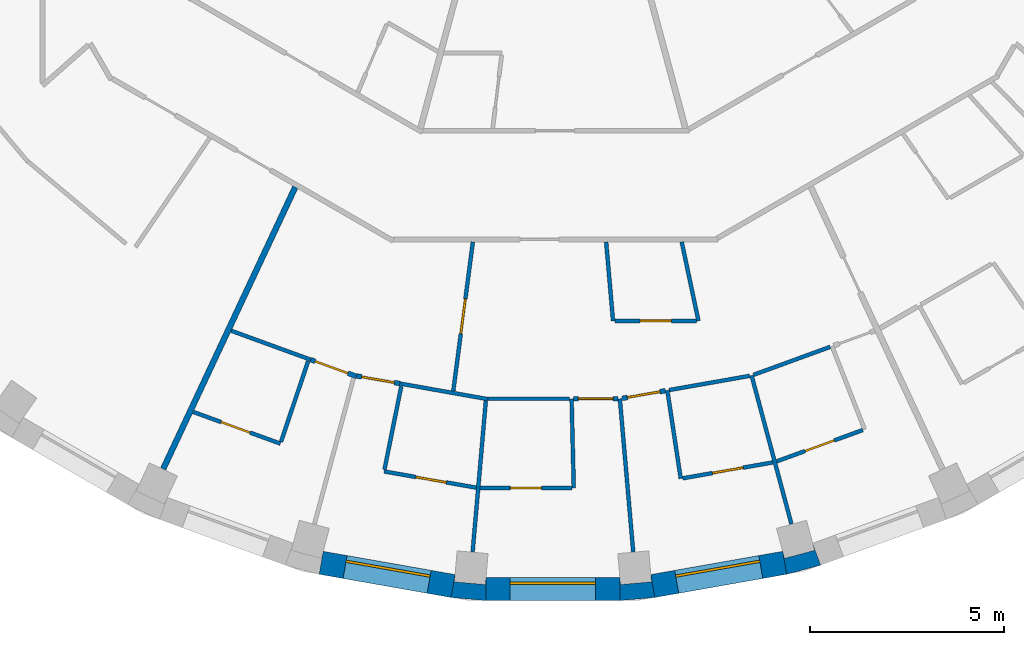
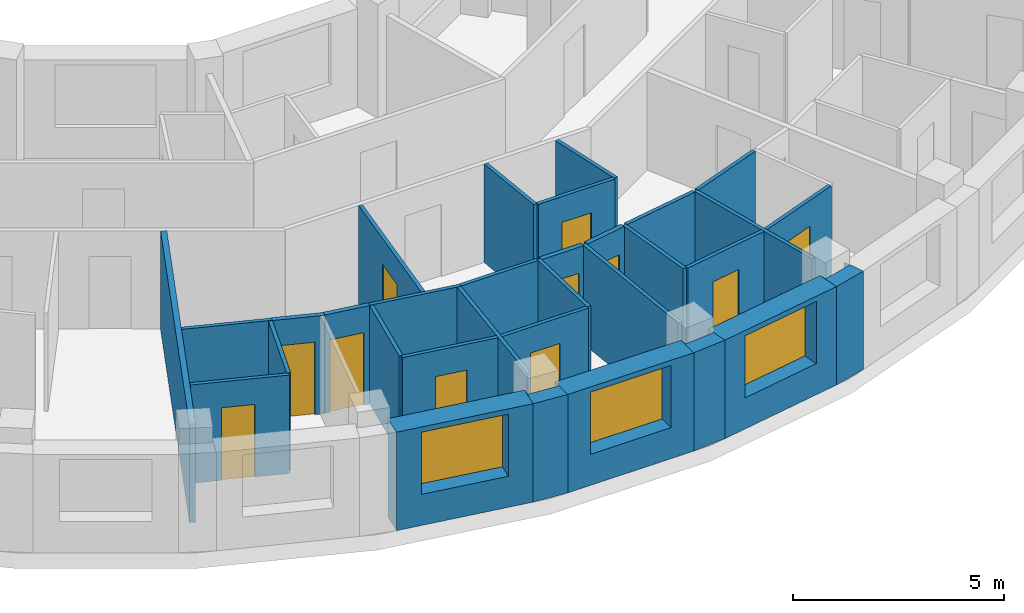
# One storey, part 4 of 15: 32 walls, 11 doors, 3 windows, 14 openings.
"""IFC4 building model written with IfcOpenShell, lengths in metres."""

from ifc_helpers import new_model, si_unit, direction, frame, frame_2d, origin, place, context, subcontext, project, spatial, polyline, rectangle, outline, extrude, material, layer, layer_set, type_object, element, fill, save


model = new_model("IFC4")

# Units and contexts
model_context = context("Model", 3, precision=1e-05, world=origin(), true_north=direction((0.0, 1.0)))
body_context = subcontext(model_context, "Body", "Model", "MODEL_VIEW")
ifc_project = project(units=[si_unit("LENGTHUNIT", "METRE"), si_unit("AREAUNIT", "SQUARE_METRE"), si_unit("VOLUMEUNIT", "CUBIC_METRE"), si_unit("PLANEANGLEUNIT", "RADIAN"), si_unit("MASSUNIT", "GRAM", prefix="KILO")], contexts=[model_context])

# Site, building, storey
site_placement = place(None, origin())
site = spatial("IfcSite", under=ifc_project, at=site_placement, CompositionType="ELEMENT")
building_placement = place(site_placement, origin())
building = spatial("IfcBuilding", under=site, at=building_placement, Name="Saqina Gate Tower", CompositionType="ELEMENT")
storey_placement = place(building_placement, frame((0.0, 0.0, 193.800048828125)))
storey = spatial("IfcBuildingStorey", under=building, at=storey_placement, Name="L55", CompositionType="ELEMENT", Elevation=193.800048828125)

# Walls
ifc_material_1 = material(Name="Brick masonry (buff)", Category="masonry")
wall_type_1 = type_object("IfcWallType", Name="BRICK PIER COPING BUFF", PredefinedType="SOLIDWALL", material=ifc_material_1)
wall_1_placement = place(storey_placement, origin())
element("IfcWall", 1, at=wall_1_placement, inside=storey, type_object=wall_type_1, Name="Pier cap L55 column 27", PredefinedType="SOLIDWALL", context=body_context, shape_type="SweptSolid", body=[
    extrude(outline(polyline([(-2.6259765625, -24.825927734375), (-1.724853515625, -24.90478515625), (-1.724853515625, -24.304931640625), (-1.7412109375, -24.491455078125), (-2.5380859375, -24.421630859375), (-2.521728515625, -24.235107421875), (-2.6259765625, -24.825927734375)])), origin(), (0.0, 0.0, 1.0), 2.849853515625),
])
wall_2_placement = place(storey_placement, origin())
element("IfcWall", 2, at=wall_2_placement, inside=storey, type_object=wall_type_1, Name="Pier cap L55 column 28", PredefinedType="SOLIDWALL", context=body_context, shape_type="SweptSolid", body=[
    extrude(outline(polyline([(1.724853515625, -24.90478515625), (2.6259765625, -24.825927734375), (2.521728515625, -24.235107421875), (2.5380859375, -24.421630859375), (1.7412109375, -24.491455078125), (1.724853515625, -24.304931640625), (1.724853515625, -24.90478515625)])), origin(), (0.0, 0.0, 1.0), 2.849853515625),
])
wall_3_placement = place(storey_placement, origin())
element("IfcWall", 3, at=wall_3_placement, inside=storey, type_object=wall_type_1, Name="Pier cap L55 column 29", PredefinedType="SOLIDWALL", context=body_context, shape_type="SweptSolid", body=[
    extrude(outline(polyline([(6.0234375, -24.22705078125), (6.897216796875, -23.992919921875), (6.69189453125, -23.428955078125), (6.740478515625, -23.610107421875), (5.967529296875, -23.81689453125), (5.919189453125, -23.635986328125), (6.0234375, -24.22705078125)])), origin(), (0.0, 0.0, 1.0), 2.849853515625),
])

# Wall, opening, window
ifc_material_2 = material(Name="Brick masonry (buff)", Category="masonry")
ifc_layer_1 = layer(ifc_material_2, 0.60009765625)
ifc_layer_set_1 = layer_set([ifc_layer_1], Name="FW-BRICK-BUFF")
wall_type_2 = type_object("IfcWallType", Name="FW-BRICK-BUFF", PredefinedType="SOLIDWALL", material=ifc_layer_set_1)
wall_4_placement = place(storey_placement, frame((-5.97119140625, -23.931640625, 0.0), z_axis=(0.0, 0.0, 1.0), x_axis=(0.984814892183, -0.173607684551, 0.0)))
wall_4 = element("IfcWall", 4, at=wall_4_placement, inside=storey, type_object=wall_type_2, Name="Facade wall L55 facet 26", PredefinedType="SOLIDWALL", context=body_context, shape_type="SweptSolid", body=[
    extrude(rectangle(XDim=3.44970703125, YDim=0.60009765625, at=frame_2d((1.724853515625, 0.0))), origin(), (0.0, 0.0, 1.0), 2.849853515625),
])
opening_1_placement = place(wall_4_placement, frame((0.625, 0.0, 0.89990234375)))
opening_1 = element("IfcOpeningElement", 5, at=opening_1_placement, cuts=wall_4, Name="Opening G16-W15", PredefinedType="OPENING", context=body_context, shape_type="SweptSolid", body=[
    extrude(rectangle(XDim=2.199951171875, YDim=1.800048828125, at=frame_2d((1.10009765625, 0.89990234375))), frame((0.0, 0.31201171875, 0.0), z_axis=(0.0, -1.0, 0.0), x_axis=(1.0, 0.0, 0.0)), (0.0, 0.0, 1.0), 0.6240234375),
])
ifc_material_3 = material(Name="Aluminium glazing", Category="aluminium")
window_type = type_object("IfcWindowType", Name="WN-C", PartitioningType="SINGLE_PANEL", PredefinedType="WINDOW", material=ifc_material_3)
window_1_placement = place(opening_1_placement, origin())
window_1 = element("IfcWindow", 6, at=window_1_placement, inside=storey, type_object=window_type, Name="Window L55 facet 26", OverallHeight=1.800048828125, OverallWidth=2.199951171875, PartitioningType="SINGLE_PANEL", PredefinedType="WINDOW", context=body_context, shape_type="SweptSolid", body=[
    extrude(rectangle(XDim=2.199951171875, YDim=1.800048828125, at=frame_2d((1.10009765625, 0.89990234375))), frame((0.0, 0.179931640625, 0.0), z_axis=(0.0, -1.0, 0.0), x_axis=(1.0, 0.0, 0.0)), (0.0, 0.0, 1.0), 0.06005859375),
])
fill(opening_1, window_1)

wall_5_placement = place(storey_placement, frame((-1.724853515625, -24.60498046875, 0.0), z_axis=(0.0, 0.0, 1.0), x_axis=(1.0, 0.0, 0.0)))
wall_5 = element("IfcWall", 7, at=wall_5_placement, inside=storey, type_object=wall_type_2, Name="Facade wall L55 facet 27", PredefinedType="SOLIDWALL", context=body_context, shape_type="SweptSolid", body=[
    extrude(rectangle(XDim=3.44970703125, YDim=0.60009765625, at=frame_2d((1.724853515625, 0.0))), origin(), (0.0, 0.0, 1.0), 2.849853515625),
])
opening_2_placement = place(wall_5_placement, frame((0.625, 0.0, 0.89990234375)))
opening_2 = element("IfcOpeningElement", 8, at=opening_2_placement, cuts=wall_5, Name="Opening G16-W16", PredefinedType="OPENING", context=body_context, shape_type="SweptSolid", body=[
    extrude(rectangle(XDim=2.199951171875, YDim=1.800048828125, at=frame_2d((1.10009765625, 0.89990234375))), frame((0.0, 0.31201171875, 0.0), z_axis=(0.0, -1.0, 0.0), x_axis=(1.0, 0.0, 0.0)), (0.0, 0.0, 1.0), 0.6240234375),
])
window_2_placement = place(opening_2_placement, origin())
window_2 = element("IfcWindow", 9, at=window_2_placement, inside=storey, type_object=window_type, Name="Window L55 facet 27", OverallHeight=1.800048828125, OverallWidth=2.199951171875, PartitioningType="SINGLE_PANEL", PredefinedType="WINDOW", context=body_context, shape_type="SweptSolid", body=[
    extrude(rectangle(XDim=2.199951171875, YDim=1.800048828125, at=frame_2d((1.10009765625, 0.89990234375))), frame((0.0, 0.179931640625, 0.0), z_axis=(0.0, -1.0, 0.0), x_axis=(1.0, 0.0, 0.0)), (0.0, 0.0, 1.0), 0.06005859375),
])
fill(opening_2, window_2)

wall_6_placement = place(storey_placement, frame((2.573974609375, -24.530517578125, 0.0), z_axis=(0.0, 0.0, 1.0), x_axis=(0.984814892183, 0.173607684551, 0.0)))
wall_6 = element("IfcWall", 10, at=wall_6_placement, inside=storey, type_object=wall_type_2, Name="Facade wall L55 facet 28", PredefinedType="SOLIDWALL", context=body_context, shape_type="SweptSolid", body=[
    extrude(rectangle(XDim=3.44970703125, YDim=0.60009765625, at=frame_2d((1.724853515625, 0.0))), origin(), (0.0, 0.0, 1.0), 2.849853515625),
])
opening_3_placement = place(wall_6_placement, frame((0.625, 0.0, 0.89990234375)))
opening_3 = element("IfcOpeningElement", 11, at=opening_3_placement, cuts=wall_6, Name="Opening G16-W17", PredefinedType="OPENING", context=body_context, shape_type="SweptSolid", body=[
    extrude(rectangle(XDim=2.199951171875, YDim=1.800048828125, at=frame_2d((1.10009765625, 0.89990234375))), frame((0.0, 0.31201171875, 0.0), z_axis=(0.0, -1.0, 0.0), x_axis=(1.0, 0.0, 0.0)), (0.0, 0.0, 1.0), 0.6240234375),
])
window_3_placement = place(opening_3_placement, origin())
window_3 = element("IfcWindow", 12, at=window_3_placement, inside=storey, type_object=window_type, Name="Window L55 facet 28", OverallHeight=1.800048828125, OverallWidth=2.199951171875, PartitioningType="SINGLE_PANEL", PredefinedType="WINDOW", context=body_context, shape_type="SweptSolid", body=[
    extrude(rectangle(XDim=2.199951171875, YDim=1.800048828125, at=frame_2d((1.10009765625, 0.89990234375))), frame((0.0, 0.179931640625, 0.0), z_axis=(0.0, -1.0, 0.0), x_axis=(1.0, 0.0, 0.0)), (0.0, 0.0, 1.0), 0.06005859375),
])
fill(opening_3, window_3)

# Walls
ifc_material_4 = material(Name="Gypsum board on steel studs, 100 mm", Category="steel")
ifc_layer_2 = layer(ifc_material_4, 0.10009765625)
ifc_layer_set_2 = layer_set([ifc_layer_2], Name="PARTITION 100")
wall_type_3 = type_object("IfcWallType", Name="PARTITION 100", PredefinedType="PARTITIONING", material=ifc_layer_set_2)
wall_7_placement = place(storey_placement, frame((0.48095703125, -19.705078125, 0.0), z_axis=(0.0, 0.0, 1.0), x_axis=(0.024408861322, -0.99970205936, 0.0)))
element("IfcWall", 13, at=wall_7_placement, inside=storey, type_object=wall_type_3, Name="PARTITION PW3-01", PredefinedType="PARTITIONING", context=body_context, shape_type="SweptSolid", body=[
    extrude(rectangle(XDim=2.300537109375, YDim=0.10009765625, at=frame_2d((1.150390625, 0.0))), origin(), (0.0, 0.0, 1.0), 2.849853515625),
])
wall_8_placement = place(storey_placement, frame((1.370849609375, -15.662109375, 0.0), z_axis=(0.0, 0.0, 1.0), x_axis=(0.087124015283, -0.996197473376, 0.0)))
element("IfcWall", 14, at=wall_8_placement, inside=storey, type_object=wall_type_3, Name="PARTITION PW3-03", PredefinedType="PARTITIONING", context=body_context, shape_type="SweptSolid", body=[
    extrude(rectangle(XDim=2.045654296875, YDim=0.10009765625, at=frame_2d((1.02294921875, 0.0))), origin(), (0.0, 0.0, 1.0), 2.849853515625),
])
wall_9_placement = place(storey_placement, frame((1.72412109375, -19.705078125, 0.0), z_axis=(0.0, 0.0, 1.0), x_axis=(0.087060633562, -0.996203014492, 0.0)))
element("IfcWall", 15, at=wall_9_placement, inside=storey, type_object=wall_type_3, Name="PARTITION PW3-04", PredefinedType="PARTITIONING", context=body_context, shape_type="SweptSolid", body=[
    extrude(rectangle(XDim=3.959716796875, YDim=0.10009765625, at=frame_2d((1.97998046875, 0.0))), origin(), (0.0, 0.0, 1.0), 2.849853515625),
])
wall_10_placement = place(storey_placement, frame((2.947998046875, -19.489013671875, 0.0), z_axis=(0.0, 0.0, 1.0), x_axis=(0.149927962289, -0.98869692329, 0.0)))
element("IfcWall", 16, at=wall_10_placement, inside=storey, type_object=wall_type_3, Name="PARTITION PW3-06", PredefinedType="PARTITIONING", context=body_context, shape_type="SweptSolid", body=[
    extrude(rectangle(XDim=2.301025390625, YDim=0.10009765625, at=frame_2d((1.150390625, 0.0))), origin(), (0.0, 0.0, 1.0), 2.849853515625),
])
wall_11_placement = place(storey_placement, frame((3.31787109375, -15.6611328125, 0.0), z_axis=(0.0, 0.0, 1.0), x_axis=(0.207344548251, -0.978267978782, 0.0)))
element("IfcWall", 17, at=wall_11_placement, inside=storey, type_object=wall_type_3, Name="PARTITION PW3-08", PredefinedType="PARTITIONING", context=body_context, shape_type="SweptSolid", body=[
    extrude(rectangle(XDim=2.084228515625, YDim=0.10009765625, at=frame_2d((1.0419921875, 0.0))), origin(), (0.0, 0.0, 1.0), 2.849853515625),
])
wall_12_placement = place(storey_placement, frame((5.118896484375, -19.10595703125, 0.0), z_axis=(0.0, 0.0, 1.0), x_axis=(0.259051417791, -0.965863532255, 0.0)))
element("IfcWall", 18, at=wall_12_placement, inside=storey, type_object=wall_type_3, Name="PARTITION PW3-09", PredefinedType="PARTITIONING", context=body_context, shape_type="SweptSolid", body=[
    extrude(rectangle(XDim=3.960205078125, YDim=0.10009765625, at=frame_2d((1.97998046875, 0.0))), origin(), (0.0, 0.0, 1.0), 2.849853515625),
])

# Wall, opening, door
wall_13_placement = place(storey_placement, frame((-9.264404296875, -20.044677734375, 0.0), z_axis=(0.0, 0.0, 1.0), x_axis=(0.939661926998, -0.342104462045, 0.0)))
wall_13 = element("IfcWall", 19, at=wall_13_placement, inside=storey, type_object=wall_type_3, Name="PARTITION PW3-43", PredefinedType="PARTITIONING", context=body_context, shape_type="SweptSolid", body=[
    extrude(rectangle(XDim=2.386474609375, YDim=0.10009765625, at=frame_2d((1.193359375, 0.0))), origin(), (0.0, 0.0, 1.0), 2.849853515625),
])
opening_4_placement = place(wall_13_placement, frame((0.755615234375, 0.0, 0.0)))
opening_4 = element("IfcOpeningElement", 20, at=opening_4_placement, cuts=wall_13, Name="Opening G16-D38", PredefinedType="OPENING", context=body_context, shape_type="SweptSolid", body=[
    extrude(rectangle(XDim=0.800048828125, YDim=2.10009765625, at=frame_2d((0.39990234375, 1.050048828125))), frame((0.0, 0.06201171875, 0.0), z_axis=(0.0, -1.0, 0.0), x_axis=(1.0, 0.0, 0.0)), (0.0, 0.0, 1.0), 0.1240234375),
])
ifc_material_5 = material(Name="Timber door leaf, 800 mm", Category="wood")
door_type_1 = type_object("IfcDoorType", Name="DOOR 800 TIMBER", OperationType="SINGLE_SWING_LEFT", PredefinedType="DOOR", material=ifc_material_5)
door_1_placement = place(opening_4_placement, frame((0.800048828125, 0.0, 0.0), z_axis=(0.0, 0.0, 1.0), x_axis=(-1.0, 0.0, 0.0)))
door_1 = element("IfcDoor", 21, at=door_1_placement, inside=storey, type_object=door_type_1, Name="DOOR G16-D38", OperationType="SINGLE_SWING_RIGHT", OverallHeight=2.10009765625, OverallWidth=0.800048828125, PredefinedType="DOOR", context=body_context, shape_type="SweptSolid", body=[
    extrude(rectangle(XDim=0.800048828125, YDim=2.10009765625, at=frame_2d((0.39990234375, 1.050048828125))), frame((0.0, 0.02490234375, 0.0), z_axis=(0.0, -1.0, 0.0), x_axis=(1.0, 0.0, 0.0)), (0.0, 0.0, 1.0), 0.050048828125),
])
fill(opening_4, door_1)

# Walls
wall_14_placement = place(storey_placement, frame((-8.28857421875, -17.952880859375, 0.0), z_axis=(0.0, 0.0, 1.0), x_axis=(0.939678877388, -0.34205790064, 0.0)))
element("IfcWall", 22, at=wall_14_placement, inside=storey, type_object=wall_type_3, Name="PARTITION PW3-44", PredefinedType="PARTITIONING", context=body_context, shape_type="SweptSolid", body=[
    extrude(rectangle(XDim=2.178955078125, YDim=0.10009765625, at=frame_2d((1.08935546875, 0.0))), origin(), (0.0, 0.0, 1.0), 2.849853515625),
])
wall_15_placement = place(storey_placement, frame((-3.944091796875, -19.312744140625, 0.0), z_axis=(0.0, 0.0, 1.0), x_axis=(0.984635015371, -0.174624988207, 0.0)))
element("IfcWall", 23, at=wall_15_placement, inside=storey, type_object=wall_type_3, Name="PARTITION PW3-47", PredefinedType="PARTITIONING", context=body_context, shape_type="SweptSolid", body=[
    extrude(rectangle(XDim=2.305419921875, YDim=0.10009765625, at=frame_2d((1.15283203125, 0.0))), origin(), (0.0, 0.0, 1.0), 2.849853515625),
])

# Wall, opening, door
wall_16_placement = place(storey_placement, frame((-4.35009765625, -21.576904296875, 0.0), z_axis=(0.0, 0.0, 1.0), x_axis=(0.984773370293, -0.173843058997, 0.0)))
wall_16 = element("IfcWall", 24, at=wall_16_placement, inside=storey, type_object=wall_type_3, Name="PARTITION PW3-48", PredefinedType="PARTITIONING", context=body_context, shape_type="SweptSolid", body=[
    extrude(rectangle(XDim=2.41259765625, YDim=0.10009765625, at=frame_2d((1.206298828125, 0.0))), origin(), (0.0, 0.0, 1.0), 2.849853515625),
])
opening_5_placement = place(wall_16_placement, frame((0.831298828125, 0.0, 0.0)))
opening_5 = element("IfcOpeningElement", 25, at=opening_5_placement, cuts=wall_16, Name="Opening G16-D41", PredefinedType="OPENING", context=body_context, shape_type="SweptSolid", body=[
    extrude(rectangle(XDim=0.800048828125, YDim=2.10009765625, at=frame_2d((0.39990234375, 1.050048828125))), frame((0.0, 0.06201171875, 0.0), z_axis=(0.0, -1.0, 0.0), x_axis=(1.0, 0.0, 0.0)), (0.0, 0.0, 1.0), 0.1240234375),
])
door_2_placement = place(opening_5_placement, frame((0.800048828125, 0.0, 0.0), z_axis=(0.0, 0.0, 1.0), x_axis=(-1.0, 0.0, 0.0)))
door_2 = element("IfcDoor", 26, at=door_2_placement, inside=storey, type_object=door_type_1, Name="DOOR G16-D41", OperationType="SINGLE_SWING_LEFT", OverallHeight=2.10009765625, OverallWidth=0.800048828125, PredefinedType="DOOR", context=body_context, shape_type="SweptSolid", body=[
    extrude(rectangle(XDim=0.800048828125, YDim=2.10009765625, at=frame_2d((0.39990234375, 1.050048828125))), frame((0.0, 0.02490234375, 0.0), z_axis=(0.0, -1.0, 0.0), x_axis=(1.0, 0.0, 0.0)), (0.0, 0.0, 1.0), 0.050048828125),
])
fill(opening_5, door_2)

wall_17_placement = place(storey_placement, frame((-1.875, -22.0048828125, 0.0), z_axis=(0.0, 0.0, 1.0), x_axis=(1.0, 0.0, 0.0)))
wall_17 = element("IfcWall", 27, at=wall_17_placement, inside=storey, type_object=wall_type_3, Name="PARTITION PW3-51", PredefinedType="PARTITIONING", context=body_context, shape_type="SweptSolid", body=[
    extrude(rectangle(XDim=2.362060546875, YDim=0.10009765625, at=frame_2d((1.18115234375, 0.0))), origin(), (0.0, 0.0, 1.0), 2.849853515625),
])
opening_6_placement = place(wall_17_placement, frame((0.781005859375, 0.0, 0.0)))
opening_6 = element("IfcOpeningElement", 28, at=opening_6_placement, cuts=wall_17, Name="Opening G16-D44", PredefinedType="OPENING", context=body_context, shape_type="SweptSolid", body=[
    extrude(rectangle(XDim=0.800048828125, YDim=2.10009765625, at=frame_2d((0.39990234375, 1.050048828125))), frame((0.0, 0.06201171875, 0.0), z_axis=(0.0, -1.0, 0.0), x_axis=(1.0, 0.0, 0.0)), (0.0, 0.0, 1.0), 0.1240234375),
])
door_3_placement = place(opening_6_placement, frame((0.800048828125, 0.0, 0.0), z_axis=(0.0, 0.0, 1.0), x_axis=(-1.0, 0.0, 0.0)))
door_3 = element("IfcDoor", 29, at=door_3_placement, inside=storey, type_object=door_type_1, Name="DOOR G16-D44", OperationType="SINGLE_SWING_RIGHT", OverallHeight=2.10009765625, OverallWidth=0.800048828125, PredefinedType="DOOR", context=body_context, shape_type="SweptSolid", body=[
    extrude(rectangle(XDim=0.800048828125, YDim=2.10009765625, at=frame_2d((0.39990234375, 1.050048828125))), frame((0.0, 0.02490234375, 0.0), z_axis=(0.0, -1.0, 0.0), x_axis=(1.0, 0.0, 0.0)), (0.0, 0.0, 1.0), 0.050048828125),
])
fill(opening_6, door_3)

# Wall
wall_18_placement = place(storey_placement, frame((-1.674072265625, -19.705078125, 0.0), z_axis=(0.0, 0.0, 1.0), x_axis=(1.0, 0.0, 0.0)))
element("IfcWall", 30, at=wall_18_placement, inside=storey, type_object=wall_type_3, Name="PARTITION PW3-52", PredefinedType="PARTITIONING", context=body_context, shape_type="SweptSolid", body=[
    extrude(rectangle(XDim=2.10498046875, YDim=0.10009765625, at=frame_2d((1.052490234375, 0.0))), origin(), (0.0, 0.0, 1.0), 2.849853515625),
])

# Wall, opening, door
wall_19_placement = place(storey_placement, frame((1.59912109375, -17.699951171875, 0.0), z_axis=(0.0, 0.0, 1.0), x_axis=(1.0, 0.0, 0.0)))
wall_19 = element("IfcWall", 31, at=wall_19_placement, inside=storey, type_object=wall_type_3, Name="PARTITION PW3-53", PredefinedType="PARTITIONING", context=body_context, shape_type="SweptSolid", body=[
    extrude(rectangle(XDim=2.100830078125, YDim=0.10009765625, at=frame_2d((1.05029296875, 0.0))), origin(), (0.0, 0.0, 1.0), 2.849853515625),
])
opening_7_placement = place(wall_19_placement, frame((0.650390625, 0.0, 0.0)))
opening_7 = element("IfcOpeningElement", 32, at=opening_7_placement, cuts=wall_19, Name="Opening G16-D49", PredefinedType="OPENING", context=body_context, shape_type="SweptSolid", body=[
    extrude(rectangle(XDim=0.800048828125, YDim=2.10009765625, at=frame_2d((0.39990234375, 1.050048828125))), frame((0.0, 0.06201171875, 0.0), z_axis=(0.0, -1.0, 0.0), x_axis=(1.0, 0.0, 0.0)), (0.0, 0.0, 1.0), 0.1240234375),
])
door_4_placement = place(opening_7_placement, frame((0.800048828125, 0.0, 0.0), z_axis=(0.0, 0.0, 1.0), x_axis=(-1.0, 0.0, 0.0)))
door_4 = element("IfcDoor", 33, at=door_4_placement, inside=storey, type_object=door_type_1, Name="DOOR G16-D49", OperationType="SINGLE_SWING_RIGHT", OverallHeight=2.10009765625, OverallWidth=0.800048828125, PredefinedType="DOOR", context=body_context, shape_type="SweptSolid", body=[
    extrude(rectangle(XDim=0.800048828125, YDim=2.10009765625, at=frame_2d((0.39990234375, 1.050048828125))), frame((0.0, 0.02490234375, 0.0), z_axis=(0.0, -1.0, 0.0), x_axis=(1.0, 0.0, 0.0)), (0.0, 0.0, 1.0), 0.050048828125),
])
fill(opening_7, door_4)

wall_20_placement = place(storey_placement, frame((3.34228515625, -21.75537109375, 0.0), z_axis=(0.0, 0.0, 1.0), x_axis=(0.984763777024, 0.173897393486, 0.0)))
wall_20 = element("IfcWall", 34, at=wall_20_placement, inside=storey, type_object=wall_type_3, Name="PARTITION PW3-59", PredefinedType="PARTITIONING", context=body_context, shape_type="SweptSolid", body=[
    extrude(rectangle(XDim=2.361328125, YDim=0.10009765625, at=frame_2d((1.1806640625, 0.0))), origin(), (0.0, 0.0, 1.0), 2.849853515625),
])
opening_8_placement = place(wall_20_placement, frame((0.78076171875, 0.0, 0.0)))
opening_8 = element("IfcOpeningElement", 35, at=opening_8_placement, cuts=wall_20, Name="Opening G16-D50", PredefinedType="OPENING", context=body_context, shape_type="SweptSolid", body=[
    extrude(rectangle(XDim=0.800048828125, YDim=2.10009765625, at=frame_2d((0.39990234375, 1.050048828125))), frame((0.0, 0.06201171875, 0.0), z_axis=(0.0, -1.0, 0.0), x_axis=(1.0, 0.0, 0.0)), (0.0, 0.0, 1.0), 0.1240234375),
])
door_5_placement = place(opening_8_placement, frame((0.800048828125, 0.0, 0.0), z_axis=(0.0, 0.0, 1.0), x_axis=(-1.0, 0.0, 0.0)))
door_5 = element("IfcDoor", 36, at=door_5_placement, inside=storey, type_object=door_type_1, Name="DOOR G16-D50", OperationType="SINGLE_SWING_RIGHT", OverallHeight=2.10009765625, OverallWidth=0.800048828125, PredefinedType="DOOR", context=body_context, shape_type="SweptSolid", body=[
    extrude(rectangle(XDim=0.800048828125, YDim=2.10009765625, at=frame_2d((0.39990234375, 1.050048828125))), frame((0.0, 0.02490234375, 0.0), z_axis=(0.0, -1.0, 0.0), x_axis=(1.0, 0.0, 0.0)), (0.0, 0.0, 1.0), 0.050048828125),
])
fill(opening_8, door_5)

# Wall
wall_21_placement = place(storey_placement, frame((2.997314453125, -19.480224609375, 0.0), z_axis=(0.0, 0.0, 1.0), x_axis=(0.984804573467, 0.173666208797, 0.0)))
element("IfcWall", 37, at=wall_21_placement, inside=storey, type_object=wall_type_3, Name="PARTITION PW3-60", PredefinedType="PARTITIONING", context=body_context, shape_type="SweptSolid", body=[
    extrude(rectangle(XDim=2.1044921875, YDim=0.10009765625, at=frame_2d((1.05224609375, 0.0))), origin(), (0.0, 0.0, 1.0), 2.849853515625),
])

# Wall, opening, door
wall_22_placement = place(storey_placement, frame((5.763916015625, -21.31884765625, 0.0), z_axis=(0.0, 0.0, 1.0), x_axis=(0.939663558851, 0.342099979782, 0.0)))
wall_22 = element("IfcWall", 38, at=wall_22_placement, inside=storey, type_object=wall_type_3, Name="PARTITION PW3-63", PredefinedType="PARTITIONING", context=body_context, shape_type="SweptSolid", body=[
    extrude(rectangle(XDim=2.361572265625, YDim=0.10009765625, at=frame_2d((1.1806640625, 0.0))), origin(), (0.0, 0.0, 1.0), 2.849853515625),
])
opening_9_placement = place(wall_22_placement, frame((0.78076171875, 0.0, 0.0)))
opening_9 = element("IfcOpeningElement", 39, at=opening_9_placement, cuts=wall_22, Name="Opening G16-D51", PredefinedType="OPENING", context=body_context, shape_type="SweptSolid", body=[
    extrude(rectangle(XDim=0.800048828125, YDim=2.10009765625, at=frame_2d((0.39990234375, 1.050048828125))), frame((0.0, 0.06201171875, 0.0), z_axis=(0.0, -1.0, 0.0), x_axis=(1.0, 0.0, 0.0)), (0.0, 0.0, 1.0), 0.1240234375),
])
door_6_placement = place(opening_9_placement, frame((0.800048828125, 0.0, 0.0), z_axis=(0.0, 0.0, 1.0), x_axis=(-1.0, 0.0, 0.0)))
door_6 = element("IfcDoor", 40, at=door_6_placement, inside=storey, type_object=door_type_1, Name="DOOR G16-D51", OperationType="SINGLE_SWING_RIGHT", OverallHeight=2.10009765625, OverallWidth=0.800048828125, PredefinedType="DOOR", context=body_context, shape_type="SweptSolid", body=[
    extrude(rectangle(XDim=0.800048828125, YDim=2.10009765625, at=frame_2d((0.39990234375, 1.050048828125))), frame((0.0, 0.02490234375, 0.0), z_axis=(0.0, -1.0, 0.0), x_axis=(1.0, 0.0, 0.0)), (0.0, 0.0, 1.0), 0.050048828125),
])
fill(opening_9, door_6)

# Walls
wall_23_placement = place(storey_placement, frame((5.166015625, -19.0888671875, 0.0), z_axis=(0.0, 0.0, 1.0), x_axis=(0.939725675468, 0.341929312674, 0.0)))
element("IfcWall", 41, at=wall_23_placement, inside=storey, type_object=wall_type_3, Name="PARTITION PW3-64", PredefinedType="PARTITIONING", context=body_context, shape_type="SweptSolid", body=[
    extrude(rectangle(XDim=2.10498046875, YDim=0.10009765625, at=frame_2d((1.052490234375, 0.0))), origin(), (0.0, 0.0, 1.0), 2.849853515625),
])
for number, where, z_axis, x_axis, name in (
    (42, (-7.006103515625, -20.813720703125, 0.0), (0.0, 0.0, 1.0), (0.319138695408, 0.947708021014, 0.0), "PARTITION PW3-92"),
    (43, (-4.340087890625, -21.528076171875, 0.0), (0.0, 0.0, 1.0), (0.197725242549, 0.980257480695, 0.0), "PARTITION PW3-96"),
):
    element("IfcWall", number, at=place(storey_placement, frame(where, z_axis=z_axis, x_axis=x_axis)), inside=storey, type_object=wall_type_3, Name=name, PredefinedType="PARTITIONING", context=body_context, shape_type="SweptSolid", body=[
        extrude(rectangle(XDim=2.18798828125, YDim=0.10009765625, at=frame_2d((1.093994140625, 0.0))), origin(), (0.0, 0.0, 1.0), 2.849853515625),
    ])

# Wall, opening, door
wall_24_placement = place(storey_placement, frame((-2.5673828125, -19.50537109375, 0.0), z_axis=(0.0, 0.0, 1.0), x_axis=(0.130303001962, 0.991474219372, 0.0)))
wall_24 = element("IfcWall", 44, at=wall_24_placement, inside=storey, type_object=wall_type_3, Name="PARTITION PW3-99", PredefinedType="PARTITIONING", context=body_context, shape_type="SweptSolid", body=[
    extrude(rectangle(XDim=3.87646484375, YDim=0.10009765625, at=frame_2d((1.938232421875, 0.0))), origin(), (0.0, 0.0, 1.0), 2.849853515625),
])
opening_10_placement = place(wall_24_placement, frame((1.494384765625, 0.0, 0.0)))
opening_10 = element("IfcOpeningElement", 45, at=opening_10_placement, cuts=wall_24, Name="Opening G16-D42", PredefinedType="OPENING", context=body_context, shape_type="SweptSolid", body=[
    extrude(rectangle(XDim=0.89990234375, YDim=2.10009765625, at=frame_2d((0.449951171875, 1.050048828125))), frame((0.0, 0.06201171875, 0.0), z_axis=(0.0, -1.0, 0.0), x_axis=(1.0, 0.0, 0.0)), (0.0, 0.0, 1.0), 0.1240234375),
])
ifc_material_6 = material(Name="Timber door leaf, 900 mm", Category="wood")
door_type_2 = type_object("IfcDoorType", Name="DOOR 900 TIMBER", OperationType="SINGLE_SWING_LEFT", PredefinedType="DOOR", material=ifc_material_6)
door_7_placement = place(opening_10_placement, frame((0.89990234375, 0.0, 0.0), z_axis=(0.0, 0.0, 1.0), x_axis=(-1.0, 0.0, 0.0)))
door_7 = element("IfcDoor", 46, at=door_7_placement, inside=storey, type_object=door_type_2, Name="DOOR G16-D42", OperationType="SINGLE_SWING_LEFT", OverallHeight=2.10009765625, OverallWidth=0.89990234375, PredefinedType="DOOR", context=body_context, shape_type="SweptSolid", body=[
    extrude(rectangle(XDim=0.89990234375, YDim=2.10009765625, at=frame_2d((0.449951171875, 1.050048828125))), frame((0.0, 0.02490234375, 0.0), z_axis=(0.0, -1.0, 0.0), x_axis=(1.0, 0.0, 0.0)), (0.0, 0.0, 1.0), 0.050048828125),
])
fill(opening_10, door_7)

# Wall
wall_25_placement = place(storey_placement, frame((-2.06884765625, -23.649658203125, 0.0), z_axis=(0.0, 0.0, 1.0), x_axis=(0.087111950553, 0.996198528442, 0.0)))
element("IfcWall", 47, at=wall_25_placement, inside=storey, type_object=wall_type_3, Name="PARTITION PW3-102", PredefinedType="PARTITIONING", context=body_context, shape_type="SweptSolid", body=[
    extrude(rectangle(XDim=3.90966796875, YDim=0.10009765625, at=frame_2d((1.954833984375, 0.0))), origin(), (0.0, 0.0, 1.0), 2.849853515625),
])

# Wall, opening, door
ifc_material_7 = material(Name="Gypsum board on steel studs, 125 mm, fire rated", Category="steel")
ifc_layer_3 = layer(ifc_material_7, 0.125)
ifc_layer_set_3 = layer_set([ifc_layer_3], Name="PARTITION EI 30 125")
wall_type_4 = type_object("IfcWallType", Name="PARTITION EI 30 125", PredefinedType="PARTITIONING", material=ifc_layer_set_3)
wall_26_placement = place(storey_placement, frame((-6.240966796875, -18.697998046875, 0.0), z_axis=(0.0, 0.0, 1.0), x_axis=(0.939793423488, -0.341743063087, 0.0)))
wall_26 = element("IfcWall", 48, at=wall_26_placement, inside=storey, type_object=wall_type_4, Name="PARTITION PW1-18", PredefinedType="PARTITIONING", context=body_context, shape_type="SweptSolid", body=[
    extrude(rectangle(XDim=1.25732421875, YDim=0.125, at=frame_2d((0.628662109375, 0.0))), origin(), (0.0, 0.0, 1.0), 2.849853515625),
])
opening_11_placement = place(wall_26_placement, frame((0.121826171875, 0.0, 0.0)))
opening_11 = element("IfcOpeningElement", 49, at=opening_11_placement, cuts=wall_26, Name="Opening G16-D39", PredefinedType="OPENING", context=body_context, shape_type="SweptSolid", body=[
    extrude(rectangle(XDim=0.89990234375, YDim=2.10009765625, at=frame_2d((0.449951171875, 1.050048828125))), frame((0.0, 0.074462890625, 0.0), z_axis=(0.0, -1.0, 0.0), x_axis=(1.0, 0.0, 0.0)), (0.0, 0.0, 1.0), 0.14892578125),
])
ifc_material_8 = material(Name="Fire door leaf EI 30, 900 mm")
door_type_3 = type_object("IfcDoorType", Name="DOOR 900 EI 30", OperationType="SINGLE_SWING_LEFT", PredefinedType="DOOR", material=ifc_material_8)
door_8_placement = place(opening_11_placement, origin())
door_8 = element("IfcDoor", 50, at=door_8_placement, inside=storey, type_object=door_type_3, Name="DOOR G16-D39", OperationType="SINGLE_SWING_RIGHT", OverallHeight=2.10009765625, OverallWidth=0.89990234375, PredefinedType="DOOR", context=body_context, shape_type="SweptSolid", body=[
    extrude(rectangle(XDim=0.89990234375, YDim=2.10009765625, at=frame_2d((0.449951171875, 1.050048828125))), frame((0.0, 0.02490234375, 0.0), z_axis=(0.0, -1.0, 0.0), x_axis=(1.0, 0.0, 0.0)), (0.0, 0.0, 1.0), 0.050048828125),
])
fill(opening_11, door_8)

wall_27_placement = place(storey_placement, frame((-5.057373046875, -19.116943359375, 0.0), z_axis=(0.0, 0.0, 1.0), x_axis=(0.984803124218, -0.17367442682, 0.0)))
wall_27 = element("IfcWall", 51, at=wall_27_placement, inside=storey, type_object=wall_type_4, Name="PARTITION PW1-20", PredefinedType="PARTITIONING", context=body_context, shape_type="SweptSolid", body=[
    extrude(rectangle(XDim=1.130126953125, YDim=0.125, at=frame_2d((0.56494140625, 0.0))), origin(), (0.0, 0.0, 1.0), 2.849853515625),
])
opening_12_placement = place(wall_27_placement, frame((0.134033203125, 0.0, 0.0)))
opening_12 = element("IfcOpeningElement", 52, at=opening_12_placement, cuts=wall_27, Name="Opening G16-D40", PredefinedType="OPENING", context=body_context, shape_type="SweptSolid", body=[
    extrude(rectangle(XDim=0.85009765625, YDim=2.10009765625, at=frame_2d((0.425048828125, 1.050048828125))), frame((0.0, 0.074462890625, 0.0), z_axis=(0.0, -1.0, 0.0), x_axis=(1.0, 0.0, 0.0)), (0.0, 0.0, 1.0), 0.14892578125),
])
ifc_material_9 = material(Name="Fire door leaf EI 30, 850 mm")
door_type_4 = type_object("IfcDoorType", Name="DOOR 850 EI 30", OperationType="SINGLE_SWING_LEFT", PredefinedType="DOOR", material=ifc_material_9)
door_9_placement = place(opening_12_placement, origin())
door_9 = element("IfcDoor", 53, at=door_9_placement, inside=storey, type_object=door_type_4, Name="DOOR G16-D40", OperationType="SINGLE_SWING_LEFT", OverallHeight=2.10009765625, OverallWidth=0.85009765625, PredefinedType="DOOR", context=body_context, shape_type="SweptSolid", body=[
    extrude(rectangle(XDim=0.85009765625, YDim=2.10009765625, at=frame_2d((0.425048828125, 1.050048828125))), frame((0.0, 0.02490234375, 0.0), z_axis=(0.0, -1.0, 0.0), x_axis=(1.0, 0.0, 0.0)), (0.0, 0.0, 1.0), 0.050048828125),
])
fill(opening_12, door_9)

wall_28_placement = place(storey_placement, frame((0.531005859375, -19.705078125, 0.0), z_axis=(0.0, 0.0, 1.0), x_axis=(1.0, 0.0, 0.0)))
wall_28 = element("IfcWall", 54, at=wall_28_placement, inside=storey, type_object=wall_type_4, Name="PARTITION PW1-22", PredefinedType="PARTITIONING", context=body_context, shape_type="SweptSolid", body=[
    extrude(rectangle(XDim=1.14306640625, YDim=0.125, at=frame_2d((0.571533203125, 0.0))), origin(), (0.0, 0.0, 1.0), 2.849853515625),
])
opening_13_placement = place(wall_28_placement, frame((0.12158203125, 0.0, 0.0)))
opening_13 = element("IfcOpeningElement", 55, at=opening_13_placement, cuts=wall_28, Name="Opening G16-D47", PredefinedType="OPENING", context=body_context, shape_type="SweptSolid", body=[
    extrude(rectangle(XDim=0.89990234375, YDim=2.10009765625, at=frame_2d((0.449951171875, 1.050048828125))), frame((0.0, 0.074462890625, 0.0), z_axis=(0.0, -1.0, 0.0), x_axis=(1.0, 0.0, 0.0)), (0.0, 0.0, 1.0), 0.14892578125),
])
door_10_placement = place(opening_13_placement, origin())
door_10 = element("IfcDoor", 56, at=door_10_placement, inside=storey, type_object=door_type_3, Name="DOOR G16-D47", OperationType="SINGLE_SWING_RIGHT", OverallHeight=2.10009765625, OverallWidth=0.89990234375, PredefinedType="DOOR", context=body_context, shape_type="SweptSolid", body=[
    extrude(rectangle(XDim=0.89990234375, YDim=2.10009765625, at=frame_2d((0.449951171875, 1.050048828125))), frame((0.0, 0.02490234375, 0.0), z_axis=(0.0, -1.0, 0.0), x_axis=(1.0, 0.0, 0.0)), (0.0, 0.0, 1.0), 0.050048828125),
])
fill(opening_13, door_10)

wall_29_placement = place(storey_placement, frame((1.78564453125, -19.694091796875, 0.0), z_axis=(0.0, 0.0, 1.0), x_axis=(0.984803124218, 0.17367442682, 0.0)))
wall_29 = element("IfcWall", 57, at=wall_29_placement, inside=storey, type_object=wall_type_4, Name="PARTITION PW1-28", PredefinedType="PARTITIONING", context=body_context, shape_type="SweptSolid", body=[
    extrude(rectangle(XDim=1.130126953125, YDim=0.125, at=frame_2d((0.56494140625, 0.0))), origin(), (0.0, 0.0, 1.0), 2.849853515625),
])
opening_14_placement = place(wall_29_placement, frame((0.134033203125, 0.0, 0.0)))
opening_14 = element("IfcOpeningElement", 58, at=opening_14_placement, cuts=wall_29, Name="Opening G16-D48", PredefinedType="OPENING", context=body_context, shape_type="SweptSolid", body=[
    extrude(rectangle(XDim=0.85009765625, YDim=2.10009765625, at=frame_2d((0.425048828125, 1.050048828125))), frame((0.0, 0.074462890625, 0.0), z_axis=(0.0, -1.0, 0.0), x_axis=(1.0, 0.0, 0.0)), (0.0, 0.0, 1.0), 0.14892578125),
])
door_11_placement = place(opening_14_placement, origin())
door_11 = element("IfcDoor", 59, at=door_11_placement, inside=storey, type_object=door_type_4, Name="DOOR G16-D48", OperationType="SINGLE_SWING_LEFT", OverallHeight=2.10009765625, OverallWidth=0.85009765625, PredefinedType="DOOR", context=body_context, shape_type="SweptSolid", body=[
    extrude(rectangle(XDim=0.85009765625, YDim=2.10009765625, at=frame_2d((0.425048828125, 1.050048828125))), frame((0.0, 0.02490234375, 0.0), z_axis=(0.0, -1.0, 0.0), x_axis=(1.0, 0.0, 0.0)), (0.0, 0.0, 1.0), 0.050048828125),
])
fill(opening_14, door_11)

# Wall
ifc_material_10 = material(Name="Gypsum board on steel studs, 150 mm, fire rated", Category="steel")
ifc_layer_4 = layer(ifc_material_10, 0.14990234375)
ifc_layer_set_4 = layer_set([ifc_layer_4], Name="PARTITION EI 60 150")
wall_type_5 = type_object("IfcWallType", Name="PARTITION EI 60 150", PredefinedType="PARTITIONING", material=ifc_layer_set_4)
wall_30_placement = place(storey_placement, frame((-10.041259765625, -21.511962890625, 0.0), z_axis=(0.0, 0.0, 1.0), x_axis=(0.424428415396, 0.905461495705, 0.0)))
element("IfcWall", 60, at=wall_30_placement, inside=storey, type_object=wall_type_5, Name="PARTITION PW2-06", PredefinedType="PARTITIONING", context=body_context, shape_type="SweptSolid", body=[
    extrude(rectangle(XDim=8.01806640625, YDim=0.14990234375, at=frame_2d((4.009033203125, 0.0))), origin(), (0.0, 0.0, 1.0), 2.849853515625),
])

save(model, "model.ifc")
